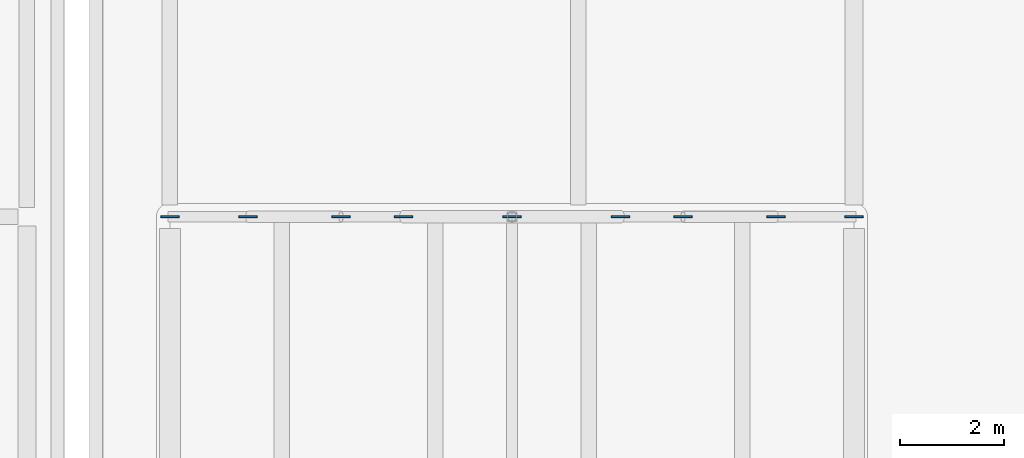
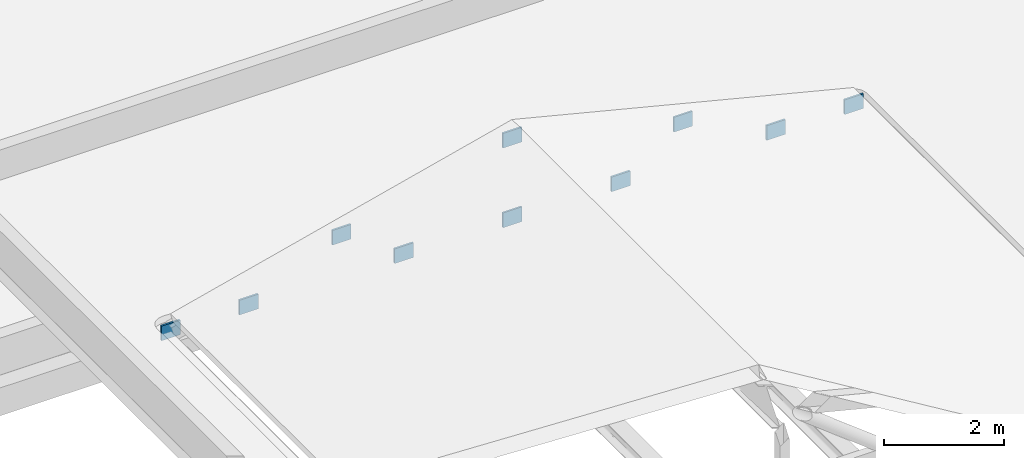
# One storey, part 32 of 40: 10 plates.
"""IFC4 building model written with IfcOpenShell, lengths in metres."""

from ifc_helpers import new_model, si_unit, direction, frame, origin, origin_2d, place, context, subcontext, project, spatial, rectangle, extrude, material, layer, layer_set, type_object, element, save


model = new_model("IFC4")

# Units and contexts
model_context = context("Model", 3, precision=1e-05, world=origin(), true_north=direction((0.0, 1.0)))
body_context = subcontext(model_context, "Body", "Model", "MODEL_VIEW")
ifc_project = project(units=[si_unit("LENGTHUNIT", "METRE"), si_unit("AREAUNIT", "SQUARE_METRE"), si_unit("VOLUMEUNIT", "CUBIC_METRE"), si_unit("PLANEANGLEUNIT", "RADIAN"), si_unit("MASSUNIT", "GRAM", prefix="KILO")], contexts=[model_context])

# Site, building, storey
site_placement = place(None, origin())
site = spatial("IfcSite", under=ifc_project, at=site_placement, CompositionType="ELEMENT")
building_placement = place(site_placement, origin())
building = spatial("IfcBuilding", under=site, at=building_placement, Name="Mzevani Central Library", CompositionType="ELEMENT")
storey_placement = place(building_placement, frame((0.0, 0.0, 26.699951171875)))
storey = spatial("IfcBuildingStorey", under=building, at=storey_placement, Name="RF", CompositionType="ELEMENT", Elevation=26.699951171875)

# Plates
ifc_material = material(Name="Steel S355J2", Category="steel")
ifc_layer = layer(ifc_material, 0.035888671875, Name="Truss Splice Flange Plate 36")
ifc_layer_set = layer_set([ifc_layer], Name="Steel S355J2")
plate_type = type_object("IfcPlateType", Name="Truss Splice Flange Plate 36", PredefinedType="USERDEFINED", material=ifc_layer_set)
for number, where, z_axis, x_axis, name in (
    (1, (21.35009765625, 70.60009765625, -13.02978515625), (0.0, 0.0, 1.0), (1.0, 0.0, 0.0), "RF Auditorium Truss 4 Node Gusset 1"),
    (2, (22.85009765625, 70.60009765625, -13.02978515625), (0.0, 0.0, 1.0), (1.0, 0.0, 0.0), "RF Auditorium Truss 4 Node Gusset 2"),
    (3, (24.637451171875, 70.60009765625, -12.23486328125), (0.0, 0.0, 1.0), (1.0, 0.0, 0.0), "RF Auditorium Truss 4 Node Gusset 3"),
    (4, (25.83740234375, 70.60009765625, -13.02978515625), (0.0, 0.0, 1.0), (1.0, 0.0, 0.0), "RF Auditorium Truss 4 Node Gusset 4"),
    (5, (27.925048828125, 70.60009765625, -13.02978515625), (0.0, 0.0, 1.0), (1.0, 0.0, 0.0), "RF Auditorium Truss 4 Node Gusset 5"),
    (6, (27.925048828125, 70.60009765625, -11.41015625), (0.0, 0.0, 1.0), (1.0, 0.0, 0.0), "RF Auditorium Truss 4 Node Gusset 6"),
    (7, (30.012451171875, 70.60009765625, -13.02978515625), (0.0, 0.0, 1.0), (1.0, 0.0, 0.0), "RF Auditorium Truss 4 Node Gusset 7"),
    (8, (31.21240234375, 70.60009765625, -12.23486328125), (0.0, 0.0, 1.0), (1.0, 0.0, 0.0), "RF Auditorium Truss 4 Node Gusset 8"),
    (9, (33.0, 70.60009765625, -13.02978515625), (0.0, 0.0, 1.0), (1.0, 0.0, 0.0), "RF Auditorium Truss 4 Node Gusset 9"),
    (10, (34.5, 70.60009765625, -13.02978515625), (0.0, 0.0, 1.0), (1.0, 0.0, 0.0), "RF Auditorium Truss 4 Node Gusset 10"),
):
    element("IfcPlate", number, at=place(storey_placement, frame(where, z_axis=z_axis, x_axis=x_axis)), inside=storey, type_object=plate_type, Name=name, ObjectType="SPLICE PLATE", PredefinedType="USERDEFINED", context=body_context, shape_type="SweptSolid", body=[
        extrude(rectangle(XDim=0.360107421875, YDim=0.035888671875, at=origin_2d()), origin(), (0.0, 0.0, 1.0), 0.300048828125),
    ])

save(model, "model.ifc")
